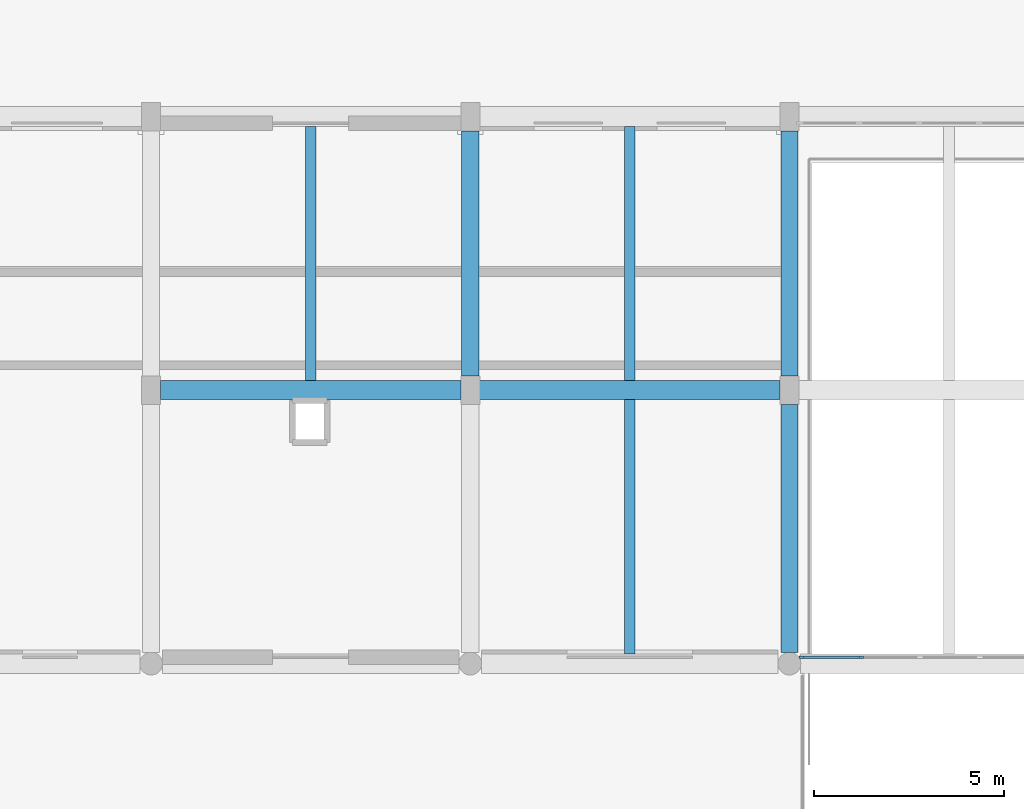
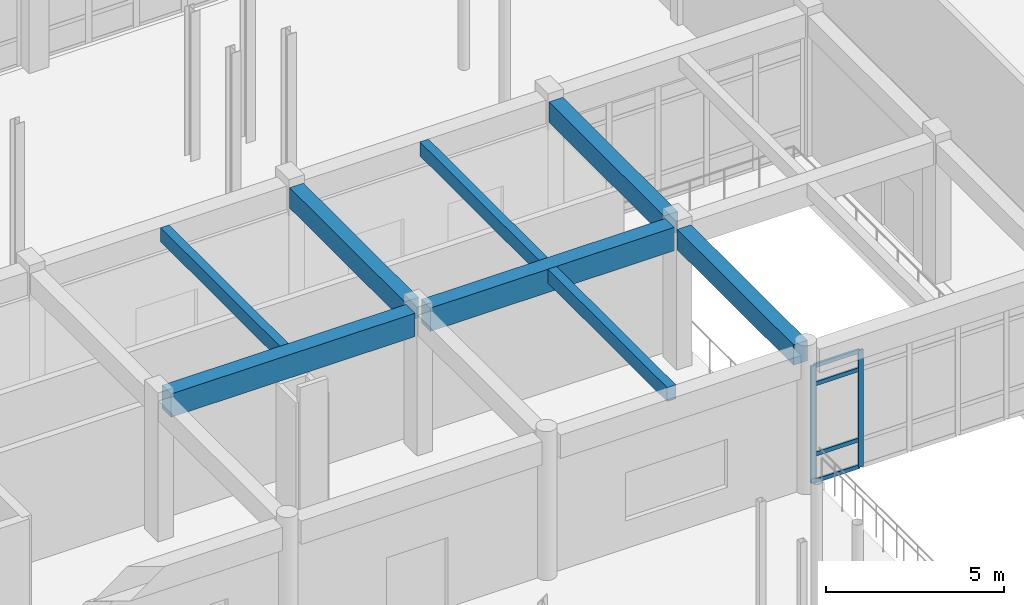
# One storey, part 43 of 121: 8 beams, 6 members, 1 element without a shape of its own.
"""IFC4 building model written with IfcOpenShell, lengths in metres."""

from ifc_helpers import new_model, si_unit, direction, frame, origin, origin_2d, place, context, subcontext, project, spatial, rectangle, extrude, material, material_profile, profile_set, type_object, element, aggregate, save


model = new_model("IFC4")

# Units and contexts
model_context = context("Model", 3, precision=1e-05, world=origin(), true_north=direction((0.0, 1.0)))
body_context = subcontext(model_context, "Body", "Model", "MODEL_VIEW")
ifc_project = project(units=[si_unit("LENGTHUNIT", "METRE"), si_unit("AREAUNIT", "SQUARE_METRE"), si_unit("VOLUMEUNIT", "CUBIC_METRE"), si_unit("PLANEANGLEUNIT", "RADIAN"), si_unit("MASSUNIT", "GRAM", prefix="KILO")], contexts=[model_context])

# Site, building, storey
site_placement = place(None, origin())
site = spatial("IfcSite", under=ifc_project, at=site_placement, CompositionType="ELEMENT")
building_placement = place(site_placement, origin())
building = spatial("IfcBuilding", under=site, at=building_placement, Name="Malvenik Polytechnic", CompositionType="ELEMENT")
storey_placement = place(building_placement, origin())
storey = spatial("IfcBuildingStorey", under=building, at=storey_placement, Name="L00", CompositionType="ELEMENT", Elevation=0.0)

# Curtain wall, members
ifc_material_1 = material(Name="Anodised aluminium 6060-T6", Category="aluminium")
curtain_wall_type = type_object("IfcCurtainWallType", Name="ARC-CW-CW-01", PredefinedType="NOTDEFINED", material=ifc_material_1)
curtain_wall_placement = place(storey_placement, origin())
curtain_wall = element("IfcCurtainWall", 1, at=curtain_wall_placement, inside=storey, type_object=curtain_wall_type, Name="Unitised Curtain Wall CW-01 L00 #14", PredefinedType="NOTDEFINED")
ifc_material_2 = material(Name="Anodised aluminium", Category="aluminium")
ifc_material_profile_1 = material_profile(ifc_material_2, rectangle(XDim=0.06005859375, YDim=0.159912109375, at=origin_2d()), Name="ALU MULLION 60x160")
ifc_profile_set_1 = profile_set([ifc_material_profile_1], Name="Anodised aluminium")
member_type_1 = type_object("IfcMemberType", Name="ARC-CWM-160", PredefinedType="MULLION", material=ifc_profile_set_1)
member_1_placement = place(storey_placement, frame((127.868896484375, 50.570068359375, 0.0), z_axis=(0.0, 0.0, 1.0), x_axis=(0.0, -1.0, 0.0)))
member_1 = element("IfcMember", 2, at=member_1_placement, type_object=member_type_1, Name="CW-01 mullion 5", PredefinedType="MULLION", context=body_context, shape_type="SweptSolid", body=[
    extrude(rectangle(XDim=0.06005859375, YDim=0.159912109375, at=origin_2d()), origin(), (0.0, 0.0, 1.0), 4.010009765625),
])
member_2_placement = place(storey_placement, frame((126.327880859375, 50.570068359375, 0.0), z_axis=(0.0, 0.0, 1.0), x_axis=(0.0, -1.0, 0.0)))
member_2 = element("IfcMember", 3, at=member_2_placement, type_object=member_type_1, Name="CW-01 mullion 6", PredefinedType="MULLION", context=body_context, shape_type="SweptSolid", body=[
    extrude(rectangle(XDim=0.06005859375, YDim=0.159912109375, at=origin_2d()), origin(), (0.0, 0.0, 1.0), 4.010009765625),
])
ifc_material_profile_2 = material_profile(ifc_material_2, rectangle(XDim=0.06005859375, YDim=0.139892578125, at=origin_2d()), Name="ALU TRANSOM 60x140")
ifc_profile_set_2 = profile_set([ifc_material_profile_2], Name="Anodised aluminium")
member_type_2 = type_object("IfcMemberType", Name="ARC-CWT-140", PredefinedType="USERDEFINED", material=ifc_profile_set_2)
member_3_placement = place(storey_placement, frame((127.8388671875, 50.570068359375, 0.030029296875), z_axis=(-1.0, 0.0, 0.0), x_axis=(0.0, -1.0, 0.0)))
member_3 = element("IfcMember", 4, at=member_3_placement, type_object=member_type_2, Name="CW-01 transom 5.1", ObjectType="TRANSOM", PredefinedType="USERDEFINED", context=body_context, shape_type="SweptSolid", body=[
    extrude(rectangle(XDim=0.06005859375, YDim=0.139892578125, at=origin_2d()), origin(), (0.0, 0.0, 1.0), 1.48095703125),
])
member_4_placement = place(storey_placement, frame((127.8388671875, 50.570068359375, 0.949951171875), z_axis=(-1.0, 0.0, 0.0), x_axis=(0.0, -1.0, 0.0)))
member_4 = element("IfcMember", 5, at=member_4_placement, type_object=member_type_2, Name="CW-01 transom 5.2", ObjectType="TRANSOM", PredefinedType="USERDEFINED", context=body_context, shape_type="SweptSolid", body=[
    extrude(rectangle(XDim=0.06005859375, YDim=0.139892578125, at=origin_2d()), origin(), (0.0, 0.0, 1.0), 1.48095703125),
])
member_5_placement = place(storey_placement, frame((127.8388671875, 50.570068359375, 3.360107421875), z_axis=(-1.0, 0.0, 0.0), x_axis=(0.0, -1.0, 0.0)))
member_5 = element("IfcMember", 6, at=member_5_placement, type_object=member_type_2, Name="CW-01 transom 5.3", ObjectType="TRANSOM", PredefinedType="USERDEFINED", context=body_context, shape_type="SweptSolid", body=[
    extrude(rectangle(XDim=0.06005859375, YDim=0.139892578125, at=origin_2d()), origin(), (0.0, 0.0, 1.0), 1.48095703125),
])
member_6_placement = place(storey_placement, frame((127.8388671875, 50.570068359375, 3.97998046875), z_axis=(-1.0, 0.0, 0.0), x_axis=(0.0, -1.0, 0.0)))
member_6 = element("IfcMember", 7, at=member_6_placement, type_object=member_type_2, Name="CW-01 transom 5.4", ObjectType="TRANSOM", PredefinedType="USERDEFINED", context=body_context, shape_type="SweptSolid", body=[
    extrude(rectangle(XDim=0.06005859375, YDim=0.139892578125, at=origin_2d()), origin(), (0.0, 0.0, 1.0), 1.48095703125),
])
aggregate(curtain_wall, [member_1, member_2, member_3, member_4, member_5, member_6])

# Beams
ifc_material_3 = material(Name="Concrete C35/45", Category="concrete")
ifc_material_profile_3 = material_profile(ifc_material_3, rectangle(XDim=0.5, YDim=0.800048828125, at=origin_2d()), Name="RC BM 500x800")
ifc_profile_set_3 = profile_set([ifc_material_profile_3], Name="Concrete C35/45")
beam_type_1 = type_object("IfcBeamType", Name="STR-BM-B-02", PredefinedType="BEAM", material=ifc_profile_set_3)
for number, where, z_axis, x_axis, name in (
    (8, (109.447998046875, 57.60009765625, 4.419921875), (1.0, 0.0, 0.0), (0.0, 1.0, 0.0), "Primary Beam B-02 L00 #593"),
    (9, (117.847900390625, 57.60009765625, 4.419921875), (1.0, 0.0, 0.0), (0.0, 1.0, 0.0), "Primary Beam B-02 L00 #594"),
):
    element("IfcBeam", number, at=place(storey_placement, frame(where, z_axis=z_axis, x_axis=x_axis)), inside=storey, type_object=beam_type_1, Name=name, PredefinedType="BEAM", context=body_context, shape_type="SweptSolid", body=[
        extrude(rectangle(XDim=0.5, YDim=0.800048828125, at=origin_2d()), origin(), (0.0, 0.0, 1.0), 7.904052734375),
    ])
ifc_material_profile_4 = material_profile(ifc_material_3, rectangle(XDim=0.449951171875, YDim=0.699951171875, at=origin_2d()), Name="RC BM 450x700")
ifc_profile_set_4 = profile_set([ifc_material_profile_4], Name="Concrete C35/45")
beam_type_2 = type_object("IfcBeamType", Name="STR-BM-B-04", PredefinedType="BEAM", material=ifc_profile_set_4)
beam_1_placement = place(storey_placement, frame((117.60009765625, 57.972900390625, 4.469970703125), z_axis=(0.0, 1.0, 0.0), x_axis=(-1.0, 0.0, 0.0)))
element("IfcBeam", 10, at=beam_1_placement, inside=storey, type_object=beam_type_2, Name="Transverse Beam B-04 L00 #818", PredefinedType="BEAM", context=body_context, shape_type="SweptSolid", body=[
    extrude(rectangle(XDim=0.449951171875, YDim=0.699951171875, at=origin_2d()), origin(), (0.0, 0.0, 1.0), 6.4541015625),
])
beam_2_placement = place(storey_placement, frame((126.0, 50.697998046875, 4.469970703125), z_axis=(0.0, 1.0, 0.0), x_axis=(-1.0, 0.0, 0.0)))
element("IfcBeam", 11, at=beam_2_placement, inside=storey, type_object=beam_type_2, Name="Transverse Beam B-04 L00 #828", PredefinedType="BEAM", context=body_context, shape_type="SweptSolid", body=[
    extrude(rectangle(XDim=0.449951171875, YDim=0.699951171875, at=origin_2d()), origin(), (0.0, 0.0, 1.0), 6.529052734375),
])
beam_3_placement = place(storey_placement, frame((126.0, 57.972900390625, 4.469970703125), z_axis=(0.0, 1.0, 0.0), x_axis=(-1.0, 0.0, 0.0)))
element("IfcBeam", 12, at=beam_3_placement, inside=storey, type_object=beam_type_2, Name="Transverse Beam B-04 L00 #829", PredefinedType="BEAM", context=body_context, shape_type="SweptSolid", body=[
    extrude(rectangle(XDim=0.449951171875, YDim=0.699951171875, at=origin_2d()), origin(), (0.0, 0.0, 1.0), 6.4541015625),
])
ifc_material_4 = material(Name="Concrete C30/37", Category="concrete")
ifc_material_profile_5 = material_profile(ifc_material_4, rectangle(XDim=0.280029296875, YDim=0.47998046875, at=origin_2d()), Name="RC JST 280x480")
ifc_profile_set_5 = profile_set([ifc_material_profile_5], Name="Concrete C30/37")
beam_type_3 = type_object("IfcBeamType", Name="STR-BM-J-01", PredefinedType="JOIST", material=ifc_profile_set_5)
for number, where, z_axis, x_axis, name in (
    (13, (113.39990234375, 57.847900390625, 4.580078125), (0.0, 1.0, 0.0), (-1.0, 0.0, 0.0), "Secondary Rib Joist J-01 L00 #920"),
    (14, (121.800048828125, 50.657958984375, 4.580078125), (0.0, 1.0, 0.0), (-1.0, 0.0, 0.0), "Secondary Rib Joist J-01 L00 #927"),
    (15, (121.800048828125, 57.847900390625, 4.580078125), (0.0, 1.0, 0.0), (-1.0, 0.0, 0.0), "Secondary Rib Joist J-01 L00 #928"),
):
    element("IfcBeam", number, at=place(storey_placement, frame(where, z_axis=z_axis, x_axis=x_axis)), inside=storey, type_object=beam_type_3, Name=name, PredefinedType="JOIST", context=body_context, shape_type="SweptSolid", body=[
        extrude(rectangle(XDim=0.280029296875, YDim=0.47998046875, at=origin_2d()), origin(), (0.0, 0.0, 1.0), 6.694091796875),
    ])

save(model, "model.ifc")
